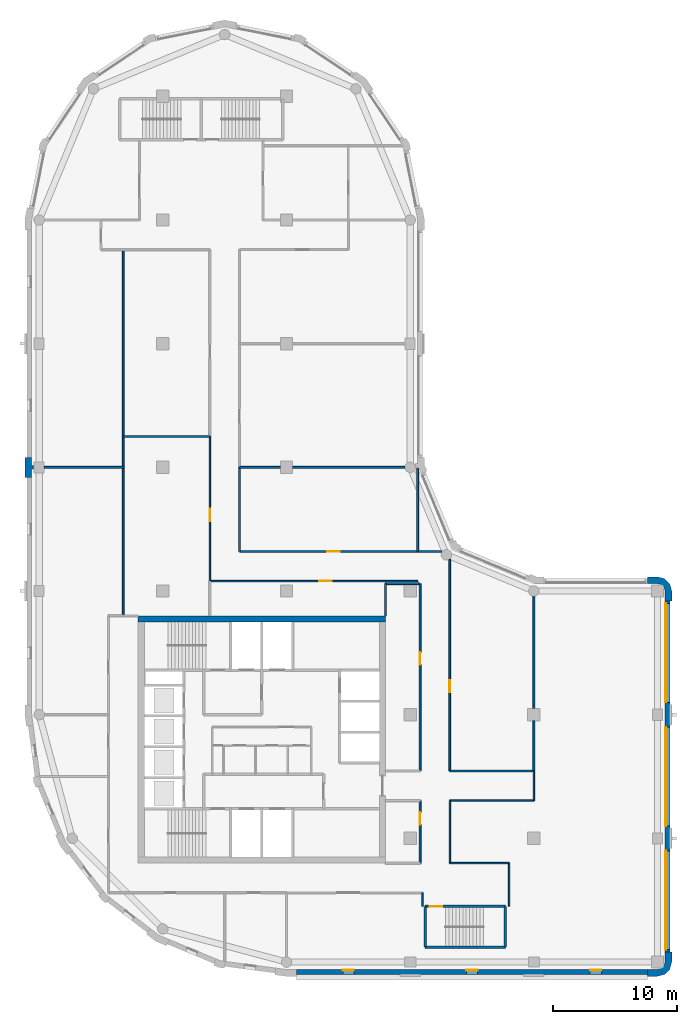
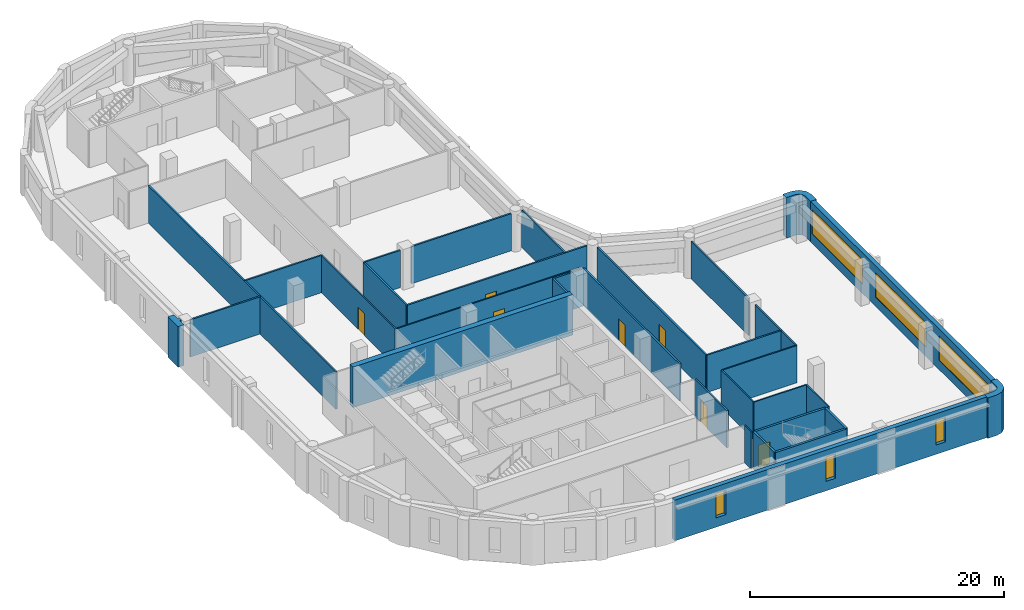
# One storey, part 4 of 9: 34 walls, 7 doors, 6 windows, 13 openings.
"""IFC4 building model written with IfcOpenShell, lengths in metres."""

from ifc_helpers import new_model, si_unit, direction, frame, frame_2d, origin, place, context, subcontext, project, spatial, polyline, rectangle, outline, extrude, material, layer, layer_set, type_object, element, fill, save


model = new_model("IFC4")

# Units and contexts
model_context = context("Model", 3, precision=1e-05, world=origin(), true_north=direction((0.0, 1.0)))
body_context = subcontext(model_context, "Body", "Model", "MODEL_VIEW")
ifc_project = project(units=[si_unit("LENGTHUNIT", "METRE"), si_unit("AREAUNIT", "SQUARE_METRE"), si_unit("VOLUMEUNIT", "CUBIC_METRE"), si_unit("PLANEANGLEUNIT", "RADIAN"), si_unit("MASSUNIT", "GRAM", prefix="KILO")], contexts=[model_context])

# Site, building, storey
site_placement = place(None, origin())
site = spatial("IfcSite", under=ifc_project, at=site_placement, CompositionType="ELEMENT")
building_placement = place(site_placement, origin())
building = spatial("IfcBuilding", under=site, at=building_placement, Name="Qaws Garden Tower", CompositionType="ELEMENT")
storey_placement = place(building_placement, frame((0.0, 0.0, 267.0)))
storey = spatial("IfcBuildingStorey", under=building, at=storey_placement, Name="L64", CompositionType="ELEMENT", Elevation=267.0)

# Walls
ifc_material_1 = material(Name="Clay facing brick masonry", Category="masonry")
ifc_layer_1 = layer(ifc_material_1, 0.550048828125)
ifc_layer_set_1 = layer_set([ifc_layer_1], Name="Clay facing brick masonry")
wall_type_1 = type_object("IfcWallType", Name="Brick corner pier 550 x 2400", PredefinedType="SOLIDWALL", material=ifc_layer_set_1)
placement = place(storey_placement, origin())
element("IfcWall", 1, at=placement, inside=storey, type_object=wall_type_1, Name="E-L64-pier-03", PredefinedType="SOLIDWALL", context=body_context, shape_type="SweptSolid", body=[
    extrude(outline(polyline([(49.199951171875, -1.0), (49.199951171875, -1.14990234375), (50.0, -1.14990234375), (50.574951171875, -0.995849609375), (50.995849609375, -0.574951171875), (51.14990234375, 0.0), (51.14990234375, 0.800048828125), (51.0, 0.800048828125), (50.60009765625, 0.800048828125), (50.60009765625, 0.0), (50.51953125, -0.300048828125), (50.300048828125, -0.51953125), (50.0, -0.60009765625), (49.199951171875, -0.60009765625), (49.199951171875, -1.0)])), origin(), (0.0, 0.0, 1.0), 3.89990234375),
])
element("IfcWall", 2, at=placement, inside=storey, type_object=wall_type_1, Name="E-L64-pier-06", PredefinedType="SOLIDWALL", context=body_context, shape_type="SweptSolid", body=[
    extrude(outline(polyline([(51.0, 29.199951171875), (51.14990234375, 29.199951171875), (51.14990234375, 30.0), (50.995849609375, 30.574951171875), (50.574951171875, 30.995849609375), (50.0, 31.14990234375), (49.199951171875, 31.14990234375), (49.199951171875, 31.0), (49.199951171875, 30.60009765625), (50.0, 30.60009765625), (50.300048828125, 30.51953125), (50.51953125, 30.300048828125), (50.60009765625, 30.0), (50.60009765625, 29.199951171875), (51.0, 29.199951171875)])), origin(), (0.0, 0.0, 1.0), 3.89990234375),
])

# Wall, openings, windows
ifc_material_2 = material(Name="Clay facing brick masonry", Category="masonry")
ifc_layer_2 = layer(ifc_material_2, 0.39990234375)
ifc_layer_set_2 = layer_set([ifc_layer_2], Name="Clay facing brick masonry")
wall_type_2 = type_object("IfcWallType", Name="Brick infill wall 400", PredefinedType="SOLIDWALL", material=ifc_layer_set_2)
wall_3_placement = place(storey_placement, frame((20.800048828125, -0.800048828125, 0.0), z_axis=(0.0, 0.0, 1.0), x_axis=(1.0, 0.0, 0.0)))
wall_3 = element("IfcWall", 3, at=wall_3_placement, inside=storey, type_object=wall_type_2, Name="E-L64-infill-00", PredefinedType="SOLIDWALL", context=body_context, shape_type="SweptSolid", body=[
    extrude(rectangle(XDim=28.39990234375, YDim=0.39990234375, at=frame_2d((14.199951171875, 0.0))), origin(), (0.0, 0.0, 1.0), 3.89990234375),
])
opening_1_placement = place(wall_3_placement, frame((3.75, 0.0, 0.89990234375)))
opening_1 = element("IfcOpeningElement", 4, at=opening_1_placement, cuts=wall_3, Name="Opening W09", PredefinedType="OPENING", context=body_context, shape_type="SweptSolid", body=[
    extrude(rectangle(XDim=0.89990234375, YDim=2.35009765625, at=frame_2d((0.449951171875, 1.175048828125))), frame((0.0, 0.2099609375, 0.0), z_axis=(0.0, -1.0, 0.0), x_axis=(1.0, 0.0, 0.0)), (0.0, 0.0, 1.0), 0.419921875),
])
opening_2_placement = place(wall_3_placement, frame((13.75, 0.0, 0.89990234375)))
opening_2 = element("IfcOpeningElement", 5, at=opening_2_placement, cuts=wall_3, Name="Opening W09", PredefinedType="OPENING", context=body_context, shape_type="SweptSolid", body=[
    extrude(rectangle(XDim=0.89990234375, YDim=2.35009765625, at=frame_2d((0.449951171875, 1.175048828125))), frame((0.0, 0.2099609375, 0.0), z_axis=(0.0, -1.0, 0.0), x_axis=(1.0, 0.0, 0.0)), (0.0, 0.0, 1.0), 0.419921875),
])
opening_3_placement = place(wall_3_placement, frame((23.75, 0.0, 0.89990234375)))
opening_3 = element("IfcOpeningElement", 6, at=opening_3_placement, cuts=wall_3, Name="Opening W09", PredefinedType="OPENING", context=body_context, shape_type="SweptSolid", body=[
    extrude(rectangle(XDim=0.89990234375, YDim=2.35009765625, at=frame_2d((0.449951171875, 1.175048828125))), frame((0.0, 0.2099609375, 0.0), z_axis=(0.0, -1.0, 0.0), x_axis=(1.0, 0.0, 0.0)), (0.0, 0.0, 1.0), 0.419921875),
])
ifc_material_3 = material(Name="Aluminium framed window, clear glazing", Category="aluminium")
window_type_1 = type_object("IfcWindowType", Name="Slit window 900 x 2350", PartitioningType="SINGLE_PANEL", PredefinedType="WINDOW", material=ifc_material_3)
window_1_placement = place(opening_1_placement, origin())
window_1 = element("IfcWindow", 7, at=window_1_placement, inside=storey, type_object=window_type_1, Name="E-L64-window-00-0", OverallHeight=2.35009765625, OverallWidth=0.89990234375, PartitioningType="SINGLE_PANEL", PredefinedType="WINDOW", context=body_context, shape_type="SweptSolid", body=[
    extrude(rectangle(XDim=0.89990234375, YDim=2.35009765625, at=frame_2d((0.449951171875, 1.175048828125))), frame((0.0, 0.159912109375, 0.0), z_axis=(0.0, -1.0, 0.0), x_axis=(1.0, 0.0, 0.0)), (0.0, 0.0, 1.0), 0.06005859375),
])
fill(opening_1, window_1)
window_2_placement = place(opening_2_placement, origin())
window_2 = element("IfcWindow", 8, at=window_2_placement, inside=storey, type_object=window_type_1, Name="E-L64-window-01-0", OverallHeight=2.35009765625, OverallWidth=0.89990234375, PartitioningType="SINGLE_PANEL", PredefinedType="WINDOW", context=body_context, shape_type="SweptSolid", body=[
    extrude(rectangle(XDim=0.89990234375, YDim=2.35009765625, at=frame_2d((0.449951171875, 1.175048828125))), frame((0.0, 0.159912109375, 0.0), z_axis=(0.0, -1.0, 0.0), x_axis=(1.0, 0.0, 0.0)), (0.0, 0.0, 1.0), 0.06005859375),
])
fill(opening_2, window_2)
window_3_placement = place(opening_3_placement, origin())
window_3 = element("IfcWindow", 9, at=window_3_placement, inside=storey, type_object=window_type_1, Name="E-L64-window-02-0", OverallHeight=2.35009765625, OverallWidth=0.89990234375, PartitioningType="SINGLE_PANEL", PredefinedType="WINDOW", context=body_context, shape_type="SweptSolid", body=[
    extrude(rectangle(XDim=0.89990234375, YDim=2.35009765625, at=frame_2d((0.449951171875, 1.175048828125))), frame((0.0, 0.159912109375, 0.0), z_axis=(0.0, -1.0, 0.0), x_axis=(1.0, 0.0, 0.0)), (0.0, 0.0, 1.0), 0.06005859375),
])
fill(opening_3, window_3)

wall_4_placement = place(storey_placement, frame((50.800048828125, 0.800048828125, 0.0), z_axis=(0.0, 0.0, 1.0), x_axis=(0.0, 1.0, 0.0)))
wall_4 = element("IfcWall", 10, at=wall_4_placement, inside=storey, type_object=wall_type_2, Name="E-L64-infill-03", PredefinedType="SOLIDWALL", context=body_context, shape_type="SweptSolid", body=[
    extrude(rectangle(XDim=28.39990234375, YDim=0.39990234375, at=frame_2d((14.199951171875, 0.0))), origin(), (0.0, 0.0, 1.0), 3.89990234375),
])
opening_4_placement = place(wall_4_placement, frame((0.199951171875, 0.0, 0.89990234375)))
opening_4 = element("IfcOpeningElement", 11, at=opening_4_placement, cuts=wall_4, Name="Opening W01", PredefinedType="OPENING", context=body_context, shape_type="SweptSolid", body=[
    extrude(rectangle(XDim=8.0, YDim=2.35009765625, at=frame_2d((4.0, 1.175048828125))), frame((0.0, 0.2099609375, 0.0), z_axis=(0.0, -1.0, 0.0), x_axis=(1.0, 0.0, 0.0)), (0.0, 0.0, 1.0), 0.419921875),
])
opening_5_placement = place(wall_4_placement, frame((10.199951171875, 0.0, 0.89990234375)))
opening_5 = element("IfcOpeningElement", 12, at=opening_5_placement, cuts=wall_4, Name="Opening W01", PredefinedType="OPENING", context=body_context, shape_type="SweptSolid", body=[
    extrude(rectangle(XDim=8.0, YDim=2.35009765625, at=frame_2d((4.0, 1.175048828125))), frame((0.0, 0.2099609375, 0.0), z_axis=(0.0, -1.0, 0.0), x_axis=(1.0, 0.0, 0.0)), (0.0, 0.0, 1.0), 0.419921875),
])
opening_6_placement = place(wall_4_placement, frame((20.199951171875, 0.0, 0.89990234375)))
opening_6 = element("IfcOpeningElement", 13, at=opening_6_placement, cuts=wall_4, Name="Opening W01", PredefinedType="OPENING", context=body_context, shape_type="SweptSolid", body=[
    extrude(rectangle(XDim=8.0, YDim=2.35009765625, at=frame_2d((4.0, 1.175048828125))), frame((0.0, 0.2099609375, 0.0), z_axis=(0.0, -1.0, 0.0), x_axis=(1.0, 0.0, 0.0)), (0.0, 0.0, 1.0), 0.419921875),
])
ifc_material_4 = material(Name="Aluminium framed window, clear glazing", Category="aluminium")
window_type_2 = type_object("IfcWindowType", Name="Ribbon window 8000 x 2350", PartitioningType="DOUBLE_PANEL_VERTICAL", PredefinedType="WINDOW", material=ifc_material_4)
window_4_placement = place(opening_4_placement, origin())
window_4 = element("IfcWindow", 14, at=window_4_placement, inside=storey, type_object=window_type_2, Name="E-L64-window-03-0", OverallHeight=2.35009765625, OverallWidth=8.0, PartitioningType="SINGLE_PANEL", PredefinedType="WINDOW", context=body_context, shape_type="SweptSolid", body=[
    extrude(rectangle(XDim=8.0, YDim=2.35009765625, at=frame_2d((4.0, 1.175048828125))), frame((0.0, 0.159912109375, 0.0), z_axis=(0.0, -1.0, 0.0), x_axis=(1.0, 0.0, 0.0)), (0.0, 0.0, 1.0), 0.06005859375),
])
fill(opening_4, window_4)
window_5_placement = place(opening_5_placement, origin())
window_5 = element("IfcWindow", 15, at=window_5_placement, inside=storey, type_object=window_type_2, Name="E-L64-window-04-0", OverallHeight=2.35009765625, OverallWidth=8.0, PartitioningType="SINGLE_PANEL", PredefinedType="WINDOW", context=body_context, shape_type="SweptSolid", body=[
    extrude(rectangle(XDim=8.0, YDim=2.35009765625, at=frame_2d((4.0, 1.175048828125))), frame((0.0, 0.159912109375, 0.0), z_axis=(0.0, -1.0, 0.0), x_axis=(1.0, 0.0, 0.0)), (0.0, 0.0, 1.0), 0.06005859375),
])
fill(opening_5, window_5)
window_6_placement = place(opening_6_placement, origin())
window_6 = element("IfcWindow", 16, at=window_6_placement, inside=storey, type_object=window_type_2, Name="E-L64-window-05-0", OverallHeight=2.35009765625, OverallWidth=8.0, PartitioningType="SINGLE_PANEL", PredefinedType="WINDOW", context=body_context, shape_type="SweptSolid", body=[
    extrude(rectangle(XDim=8.0, YDim=2.35009765625, at=frame_2d((4.0, 1.175048828125))), frame((0.0, 0.159912109375, 0.0), z_axis=(0.0, -1.0, 0.0), x_axis=(1.0, 0.0, 0.0)), (0.0, 0.0, 1.0), 0.06005859375),
])
fill(opening_6, window_6)

# Walls
ifc_material_5 = material(Name="Clay facing brick masonry", Category="masonry")
ifc_layer_3 = layer(ifc_material_5, 0.550048828125)
ifc_layer_set_3 = layer_set([ifc_layer_3], Name="Clay facing brick masonry")
wall_type_3 = type_object("IfcWallType", Name="Brick pier 550 x 1600", PredefinedType="SOLIDWALL", material=ifc_layer_set_3)
element("IfcWall", 17, at=placement, inside=storey, type_object=wall_type_3, Name="E-L64-pier-21", PredefinedType="SOLIDWALL", context=body_context, shape_type="SweptSolid", body=[
    extrude(outline(polyline([(-0.60009765625, 39.199951171875), (-0.60009765625, 39.85009765625), (-0.449951171875, 39.85009765625), (-0.449951171875, 40.14990234375), (-0.60009765625, 40.14990234375), (-0.60009765625, 40.800048828125), (-1.0, 40.800048828125), (-1.14990234375, 40.800048828125), (-1.14990234375, 40.0), (-1.14990234375, 39.199951171875), (-1.0, 39.199951171875), (-0.60009765625, 39.199951171875)])), origin(), (0.0, 0.0, 1.0), 3.89990234375),
])
ifc_material_6 = material(Name="Concrete C60", Category="concrete")
ifc_layer_4 = layer(ifc_material_6, 0.199951171875)
ifc_layer_set_4 = layer_set([ifc_layer_4], Name="Concrete C60")
wall_type_4 = type_object("IfcWallType", Name="Core shaft wall 200 C60", PredefinedType="SHEAR", material=ifc_layer_set_4)
wall_6_placement = place(storey_placement, frame((31.199951171875, 1.199951171875, 0.0), z_axis=(0.0, 0.0, 1.0), x_axis=(1.0, 0.0, 0.0)))
element("IfcWall", 18, at=wall_6_placement, inside=storey, type_object=wall_type_4, Name="Shaft wall", PredefinedType="SHEAR", context=body_context, shape_type="SweptSolid", body=[
    extrude(rectangle(XDim=6.5, YDim=0.199951171875, at=frame_2d((3.25, 0.0))), origin(), (0.0, 0.0, 1.0), 3.580078125),
])

# Wall, opening, door
wall_7_placement = place(storey_placement, frame((31.199951171875, 4.5, 0.0), z_axis=(0.0, 0.0, 1.0), x_axis=(1.0, 0.0, 0.0)))
wall_7 = element("IfcWall", 19, at=wall_7_placement, inside=storey, type_object=wall_type_4, Name="Shaft wall", PredefinedType="SHEAR", context=body_context, shape_type="SweptSolid", body=[
    extrude(rectangle(XDim=6.5, YDim=0.199951171875, at=frame_2d((3.25, 0.0))), origin(), (0.0, 0.0, 1.0), 3.580078125),
])
opening_7_placement = place(wall_7_placement, frame((0.375, 0.0, 0.0)))
opening_7 = element("IfcOpeningElement", 20, at=opening_7_placement, cuts=wall_7, Name="Opening SD12", PredefinedType="OPENING", context=body_context, shape_type="SweptSolid", body=[
    extrude(rectangle(XDim=1.0, YDim=2.10009765625, at=frame_2d((0.5, 1.050048828125))), frame((0.0, 0.10986328125, 0.0), z_axis=(0.0, -1.0, 0.0), x_axis=(1.0, 0.0, 0.0)), (0.0, 0.0, 1.0), 0.219970703125),
])
ifc_material_7 = material(Name="Steel S235", Category="steel")
door_type_1 = type_object("IfcDoorType", Name="Stair door 1000x2100", OperationType="SINGLE_SWING_RIGHT", PredefinedType="DOOR", material=ifc_material_7)
door_1_placement = place(opening_7_placement, frame((1.0, 0.0, 0.0), z_axis=(0.0, 0.0, 1.0), x_axis=(-1.0, 0.0, 0.0)))
door_1 = element("IfcDoor", 21, at=door_1_placement, inside=storey, type_object=door_type_1, Name="Stair 5 door", OperationType="SINGLE_SWING_RIGHT", OverallHeight=2.10009765625, OverallWidth=1.0, PredefinedType="DOOR", context=body_context, shape_type="SweptSolid", body=[
    extrude(rectangle(XDim=1.0, YDim=2.10009765625, at=frame_2d((0.5, 1.050048828125))), frame((0.0, 0.02490234375, 0.0), z_axis=(0.0, -1.0, 0.0), x_axis=(1.0, 0.0, 0.0)), (0.0, 0.0, 1.0), 0.050048828125),
])
fill(opening_7, door_1)

# Walls
for number, where, z_axis, x_axis, name in (
    (22, (31.199951171875, 1.199951171875, 0.0), (0.0, 0.0, 1.0), (0.0, 1.0, 0.0), "Shaft wall"),
    (23, (37.699951171875, 1.199951171875, 0.0), (0.0, 0.0, 1.0), (0.0, 1.0, 0.0), "Shaft wall"),
):
    element("IfcWall", number, at=place(storey_placement, frame(where, z_axis=z_axis, x_axis=x_axis)), inside=storey, type_object=wall_type_4, Name=name, PredefinedType="SHEAR", context=body_context, shape_type="SweptSolid", body=[
        extrude(rectangle(XDim=3.300048828125, YDim=0.199951171875, at=frame_2d((1.64990234375, 0.0))), origin(), (0.0, 0.0, 1.0), 3.580078125),
    ])
ifc_material_8 = material(Name="Concrete C60", Category="concrete")
ifc_layer_5 = layer(ifc_material_8, 0.5)
ifc_layer_set_5 = layer_set([ifc_layer_5], Name="Concrete C60")
wall_type_5 = type_object("IfcWallType", Name="Core wall 500 C60", PredefinedType="SHEAR", material=ifc_layer_set_5)
wall_8_placement = place(storey_placement, frame((28.0, 27.75, 0.0), z_axis=(0.0, 0.0, 1.0), x_axis=(-1.0, 0.0, 0.0)))
element("IfcWall", 24, at=wall_8_placement, inside=storey, type_object=wall_type_5, Name="Core wall L64 north", PredefinedType="SHEAR", context=body_context, shape_type="SweptSolid", body=[
    extrude(rectangle(XDim=20.0, YDim=0.5, at=frame_2d((10.0, 0.0))), origin(), (0.0, 0.0, 1.0), 3.89990234375),
])

# Wall, opening, door
ifc_material_9 = material(Name="Glass and aluminium framing", Category="aluminium")
ifc_layer_6 = layer(ifc_material_9, 0.1201171875)
ifc_layer_set_6 = layer_set([ifc_layer_6], Name="Glass and aluminium framing")
wall_type_6 = type_object("IfcWallType", Name="GLAZED PARTITION 120 EI 30", PredefinedType="PARTITIONING", material=ifc_layer_set_6)
wall_9_placement = place(storey_placement, frame((13.800048828125, 30.800048828125, 0.0), z_axis=(0.0, 0.0, 1.0), x_axis=(0.0, 1.0, 0.0)))
wall_9 = element("IfcWall", 25, at=wall_9_placement, inside=storey, type_object=wall_type_6, Name="O-L64-wall-041", PredefinedType="PARTITIONING", context=body_context, shape_type="SweptSolid", body=[
    extrude(rectangle(XDim=11.699951171875, YDim=0.1201171875, at=frame_2d((5.85009765625, 0.0))), origin(), (0.0, 0.0, 1.0), 3.580078125),
])
opening_8_placement = place(wall_9_placement, frame((4.85009765625, 0.0, 0.0)))
opening_8 = element("IfcOpeningElement", 26, at=opening_8_placement, cuts=wall_9, Name="Opening C217", PredefinedType="OPENING", context=body_context, shape_type="SweptSolid", body=[
    extrude(rectangle(XDim=1.0, YDim=2.10009765625, at=frame_2d((0.5, 1.050048828125))), frame((0.0, 0.070068359375, 0.0), z_axis=(0.0, -1.0, 0.0), x_axis=(1.0, 0.0, 0.0)), (0.0, 0.0, 1.0), 0.14013671875),
])
ifc_material_10 = material(Name="Timber door leaf", Category="wood")
door_type_2 = type_object("IfcDoorType", Name="TENANCY ENTRANCE DOOR 1000 X 2100", OperationType="SINGLE_SWING_LEFT", PredefinedType="DOOR", material=ifc_material_10)
door_2_placement = place(opening_8_placement, origin())
door_2 = element("IfcDoor", 27, at=door_2_placement, inside=storey, type_object=door_type_2, Name="O-L64-door-017", OperationType="SINGLE_SWING_LEFT", OverallHeight=2.10009765625, OverallWidth=1.0, PredefinedType="DOOR", context=body_context, shape_type="SweptSolid", body=[
    extrude(rectangle(XDim=1.0, YDim=2.10009765625, at=frame_2d((0.5, 1.050048828125))), frame((0.0, 0.02490234375, 0.0), z_axis=(0.0, -1.0, 0.0), x_axis=(1.0, 0.0, 0.0)), (0.0, 0.0, 1.0), 0.050048828125),
])
fill(opening_8, door_2)

# Walls
wall_10_placement = place(storey_placement, frame((31.0, 4.5, 0.0), z_axis=(0.0, 0.0, 1.0), x_axis=(0.0, 1.0, 0.0)))
element("IfcWall", 28, at=wall_10_placement, inside=storey, type_object=wall_type_6, Name="O-L64-wall-045", PredefinedType="PARTITIONING", context=body_context, shape_type="SweptSolid", body=[
    extrude(rectangle(XDim=1.10009765625, YDim=0.1201171875, at=frame_2d((0.550048828125, 0.0))), origin(), (0.0, 0.0, 1.0), 3.580078125),
])
wall_11_placement = place(storey_placement, frame((33.199951171875, 8.0, 0.0), z_axis=(0.0, 0.0, 1.0), x_axis=(0.0, 1.0, 0.0)))
element("IfcWall", 29, at=wall_11_placement, inside=storey, type_object=wall_type_6, Name="O-L64-wall-046", PredefinedType="PARTITIONING", context=body_context, shape_type="SweptSolid", body=[
    extrude(rectangle(XDim=5.050048828125, YDim=0.1201171875, at=frame_2d((2.52490234375, 0.0))), origin(), (0.0, 0.0, 1.0), 3.580078125),
])
wall_12_placement = place(storey_placement, frame((38.0, 4.5, 0.0), z_axis=(0.0, 0.0, 1.0), x_axis=(0.0, 1.0, 0.0)))
element("IfcWall", 30, at=wall_12_placement, inside=storey, type_object=wall_type_6, Name="O-L64-wall-047", PredefinedType="PARTITIONING", context=body_context, shape_type="SweptSolid", body=[
    extrude(rectangle(XDim=3.5, YDim=0.1201171875, at=frame_2d((1.75, 0.0))), origin(), (0.0, 0.0, 1.0), 3.580078125),
])
wall_13_placement = place(storey_placement, frame((40.0, 13.050048828125, 0.0), z_axis=(0.0, 0.0, 1.0), x_axis=(0.0, 1.0, 0.0)))
element("IfcWall", 31, at=wall_13_placement, inside=storey, type_object=wall_type_6, Name="O-L64-wall-048", PredefinedType="PARTITIONING", context=body_context, shape_type="SweptSolid", body=[
    extrude(rectangle(XDim=2.39990234375, YDim=0.1201171875, at=frame_2d((1.199951171875, 0.0))), origin(), (0.0, 0.0, 1.0), 3.580078125),
])
wall_14_placement = place(storey_placement, frame((33.199951171875, 8.0, 0.0), z_axis=(0.0, 0.0, 1.0), x_axis=(1.0, 0.0, 0.0)))
element("IfcWall", 32, at=wall_14_placement, inside=storey, type_object=wall_type_6, Name="O-L64-wall-050", PredefinedType="PARTITIONING", context=body_context, shape_type="SweptSolid", body=[
    extrude(rectangle(XDim=4.800048828125, YDim=0.1201171875, at=frame_2d((2.39990234375, 0.0))), origin(), (0.0, 0.0, 1.0), 3.580078125),
])
wall_15_placement = place(storey_placement, frame((33.199951171875, 13.050048828125, 0.0), z_axis=(0.0, 0.0, 1.0), x_axis=(1.0, 0.0, 0.0)))
element("IfcWall", 33, at=wall_15_placement, inside=storey, type_object=wall_type_6, Name="O-L64-wall-051", PredefinedType="PARTITIONING", context=body_context, shape_type="SweptSolid", body=[
    extrude(rectangle(XDim=6.800048828125, YDim=0.1201171875, at=frame_2d((3.39990234375, 0.0))), origin(), (0.0, 0.0, 1.0), 3.580078125),
])

# Wall, opening, door
wall_16_placement = place(storey_placement, frame((13.802001953125, 30.800048828125, 0.0), z_axis=(0.0, 0.0, 1.0), x_axis=(1.0, 0.0, 0.0)))
wall_16 = element("IfcWall", 34, at=wall_16_placement, inside=storey, type_object=wall_type_6, Name="O-L64-wall-053", PredefinedType="PARTITIONING", context=body_context, shape_type="SweptSolid", body=[
    extrude(rectangle(XDim=16.798095703125, YDim=0.1201171875, at=frame_2d((8.39892578125, 0.0))), origin(), (0.0, 0.0, 1.0), 3.580078125),
])
opening_9_placement = place(wall_16_placement, frame((8.85009765625, 0.0, 0.0)))
opening_9 = element("IfcOpeningElement", 35, at=opening_9_placement, cuts=wall_16, Name="Opening C210", PredefinedType="OPENING", context=body_context, shape_type="SweptSolid", body=[
    extrude(rectangle(XDim=1.0, YDim=2.10009765625, at=frame_2d((0.5, 1.050048828125))), frame((0.0, 0.070068359375, 0.0), z_axis=(0.0, -1.0, 0.0), x_axis=(1.0, 0.0, 0.0)), (0.0, 0.0, 1.0), 0.14013671875),
])
door_3_placement = place(opening_9_placement, frame((1.0, 0.0, 0.0), z_axis=(0.0, 0.0, 1.0), x_axis=(-1.0, 0.0, 0.0)))
door_3 = element("IfcDoor", 36, at=door_3_placement, inside=storey, type_object=door_type_2, Name="O-L64-door-010", OperationType="SINGLE_SWING_LEFT", OverallHeight=2.10009765625, OverallWidth=1.0, PredefinedType="DOOR", context=body_context, shape_type="SweptSolid", body=[
    extrude(rectangle(XDim=1.0, YDim=2.10009765625, at=frame_2d((0.5, 1.050048828125))), frame((0.0, 0.02490234375, 0.0), z_axis=(0.0, -1.0, 0.0), x_axis=(1.0, 0.0, 0.0)), (0.0, 0.0, 1.0), 0.050048828125),
])
fill(opening_9, door_3)

# Walls
ifc_material_11 = material(Name="Gypsum board partition")
ifc_layer_7 = layer(ifc_material_11, 0.14990234375)
ifc_layer_set_7 = layer_set([ifc_layer_7], Name="Gypsum board partition")
wall_type_7 = type_object("IfcWallType", Name="PARTITION 150 EI 60", PredefinedType="PARTITIONING", material=ifc_layer_set_7)
wall_17_placement = place(storey_placement, frame((6.800048828125, 28.0, 0.0), z_axis=(0.0, 0.0, 1.0), x_axis=(0.0, 1.0, 0.0)))
element("IfcWall", 37, at=wall_17_placement, inside=storey, type_object=wall_type_7, Name="O-L64-wall-004", PredefinedType="PARTITIONING", context=body_context, shape_type="SweptSolid", body=[
    extrude(rectangle(XDim=29.60009765625, YDim=0.14990234375, at=frame_2d((14.800048828125, 0.0))), origin(), (0.0, 0.0, 1.0), 3.580078125),
])
wall_18_placement = place(storey_placement, frame((16.199951171875, 33.199951171875, 0.0), z_axis=(0.0, 0.0, 1.0), x_axis=(0.0, 1.0, 0.0)))
element("IfcWall", 38, at=wall_18_placement, inside=storey, type_object=wall_type_7, Name="O-L64-wall-008", PredefinedType="PARTITIONING", context=body_context, shape_type="SweptSolid", body=[
    extrude(rectangle(XDim=6.800048828125, YDim=0.14990234375, at=frame_2d((3.39990234375, 0.0))), origin(), (0.0, 0.0, 1.0), 3.580078125),
])
wall_19_placement = place(storey_placement, frame((28.0, 28.0, 0.0), z_axis=(0.0, 0.0, 1.0), x_axis=(0.0, 1.0, 0.0)))
element("IfcWall", 39, at=wall_19_placement, inside=storey, type_object=wall_type_7, Name="O-L64-wall-011", PredefinedType="PARTITIONING", context=body_context, shape_type="SweptSolid", body=[
    extrude(rectangle(XDim=2.597900390625, YDim=0.14990234375, at=frame_2d((1.298828125, 0.0))), origin(), (0.0, 0.0, 1.0), 3.580078125),
])
wall_20_placement = place(storey_placement, frame((30.60009765625, 33.199951171875, 0.0), z_axis=(0.0, 0.0, 1.0), x_axis=(0.0, 1.0, 0.0)))
element("IfcWall", 40, at=wall_20_placement, inside=storey, type_object=wall_type_7, Name="O-L64-wall-012", PredefinedType="PARTITIONING", context=body_context, shape_type="SweptSolid", body=[
    extrude(rectangle(XDim=6.73828125, YDim=0.14990234375, at=frame_2d((3.369140625, 0.0))), origin(), (0.0, 0.0, 1.0), 3.580078125),
])

# Wall, opening, door
wall_21_placement = place(storey_placement, frame((30.800048828125, 8.0, 0.0), z_axis=(0.0, 0.0, 1.0), x_axis=(0.0, 1.0, 0.0)))
wall_21 = element("IfcWall", 41, at=wall_21_placement, inside=storey, type_object=wall_type_7, Name="O-L64-wall-013", PredefinedType="PARTITIONING", context=body_context, shape_type="SweptSolid", body=[
    extrude(rectangle(XDim=5.050048828125, YDim=0.14990234375, at=frame_2d((2.52490234375, 0.0))), origin(), (0.0, 0.0, 1.0), 3.580078125),
])
opening_10_placement = place(wall_21_placement, frame((3.10009765625, 0.0, 0.0)))
opening_10 = element("IfcOpeningElement", 42, at=opening_10_placement, cuts=wall_21, Name="Opening C216", PredefinedType="OPENING", context=body_context, shape_type="SweptSolid", body=[
    extrude(rectangle(XDim=1.0, YDim=2.10009765625, at=frame_2d((0.5, 1.050048828125))), frame((0.0, 0.0849609375, 0.0), z_axis=(0.0, -1.0, 0.0), x_axis=(1.0, 0.0, 0.0)), (0.0, 0.0, 1.0), 0.169921875),
])
door_4_placement = place(opening_10_placement, origin())
door_4 = element("IfcDoor", 43, at=door_4_placement, inside=storey, type_object=door_type_2, Name="O-L64-door-016", OperationType="SINGLE_SWING_RIGHT", OverallHeight=2.10009765625, OverallWidth=1.0, PredefinedType="DOOR", context=body_context, shape_type="SweptSolid", body=[
    extrude(rectangle(XDim=1.0, YDim=2.10009765625, at=frame_2d((0.5, 1.050048828125))), frame((0.0, 0.02490234375, 0.0), z_axis=(0.0, -1.0, 0.0), x_axis=(1.0, 0.0, 0.0)), (0.0, 0.0, 1.0), 0.050048828125),
])
fill(opening_10, door_4)

wall_22_placement = place(storey_placement, frame((30.800048828125, 15.449951171875, 0.0), z_axis=(0.0, 0.0, 1.0), x_axis=(0.0, 1.0, 0.0)))
wall_22 = element("IfcWall", 44, at=wall_22_placement, inside=storey, type_object=wall_type_7, Name="O-L64-wall-014", PredefinedType="PARTITIONING", context=body_context, shape_type="SweptSolid", body=[
    extrude(rectangle(XDim=15.150146484375, YDim=0.14990234375, at=frame_2d((7.5751953125, 0.0))), origin(), (0.0, 0.0, 1.0), 3.580078125),
])
opening_11_placement = place(wall_22_placement, frame((8.60009765625, 0.0, 0.0)))
opening_11 = element("IfcOpeningElement", 45, at=opening_11_placement, cuts=wall_22, Name="Opening C213", PredefinedType="OPENING", context=body_context, shape_type="SweptSolid", body=[
    extrude(rectangle(XDim=1.0, YDim=2.10009765625, at=frame_2d((0.5, 1.050048828125))), frame((0.0, 0.0849609375, 0.0), z_axis=(0.0, -1.0, 0.0), x_axis=(1.0, 0.0, 0.0)), (0.0, 0.0, 1.0), 0.169921875),
])
door_5_placement = place(opening_11_placement, origin())
door_5 = element("IfcDoor", 46, at=door_5_placement, inside=storey, type_object=door_type_2, Name="O-L64-door-013", OperationType="SINGLE_SWING_RIGHT", OverallHeight=2.10009765625, OverallWidth=1.0, PredefinedType="DOOR", context=body_context, shape_type="SweptSolid", body=[
    extrude(rectangle(XDim=1.0, YDim=2.10009765625, at=frame_2d((0.5, 1.050048828125))), frame((0.0, 0.02490234375, 0.0), z_axis=(0.0, -1.0, 0.0), x_axis=(1.0, 0.0, 0.0)), (0.0, 0.0, 1.0), 0.050048828125),
])
fill(opening_11, door_5)

wall_23_placement = place(storey_placement, frame((33.199951171875, 15.449951171875, 0.0), z_axis=(0.0, 0.0, 1.0), x_axis=(0.0, 1.0, 0.0)))
wall_23 = element("IfcWall", 47, at=wall_23_placement, inside=storey, type_object=wall_type_7, Name="O-L64-wall-015", PredefinedType="PARTITIONING", context=body_context, shape_type="SweptSolid", body=[
    extrude(rectangle(XDim=17.10205078125, YDim=0.14990234375, at=frame_2d((8.551025390625, 0.0))), origin(), (0.0, 0.0, 1.0), 3.580078125),
])
opening_12_placement = place(wall_23_placement, frame((6.35009765625, 0.0, 0.0)))
opening_12 = element("IfcOpeningElement", 48, at=opening_12_placement, cuts=wall_23, Name="Opening C214", PredefinedType="OPENING", context=body_context, shape_type="SweptSolid", body=[
    extrude(rectangle(XDim=1.0, YDim=2.10009765625, at=frame_2d((0.5, 1.050048828125))), frame((0.0, 0.0849609375, 0.0), z_axis=(0.0, -1.0, 0.0), x_axis=(1.0, 0.0, 0.0)), (0.0, 0.0, 1.0), 0.169921875),
])
door_6_placement = place(opening_12_placement, frame((1.0, 0.0, 0.0), z_axis=(0.0, 0.0, 1.0), x_axis=(-1.0, 0.0, 0.0)))
door_6 = element("IfcDoor", 49, at=door_6_placement, inside=storey, type_object=door_type_2, Name="O-L64-door-014", OperationType="SINGLE_SWING_LEFT", OverallHeight=2.10009765625, OverallWidth=1.0, PredefinedType="DOOR", context=body_context, shape_type="SweptSolid", body=[
    extrude(rectangle(XDim=1.0, YDim=2.10009765625, at=frame_2d((0.5, 1.050048828125))), frame((0.0, 0.02490234375, 0.0), z_axis=(0.0, -1.0, 0.0), x_axis=(1.0, 0.0, 0.0)), (0.0, 0.0, 1.0), 0.050048828125),
])
fill(opening_12, door_6)

# Walls
wall_24_placement = place(storey_placement, frame((40.0, 15.449951171875, 0.0), z_axis=(0.0, 0.0, 1.0), x_axis=(0.0, 1.0, 0.0)))
element("IfcWall", 50, at=wall_24_placement, inside=storey, type_object=wall_type_7, Name="O-L64-wall-016", PredefinedType="PARTITIONING", context=body_context, shape_type="SweptSolid", body=[
    extrude(rectangle(XDim=4.050048828125, YDim=0.14990234375, at=frame_2d((2.02490234375, 0.0))), origin(), (0.0, 0.0, 1.0), 3.580078125),
])
wall_25_placement = place(storey_placement, frame((40.0, 20.5, 0.0), z_axis=(0.0, 0.0, 1.0), x_axis=(0.0, 1.0, 0.0)))
element("IfcWall", 51, at=wall_25_placement, inside=storey, type_object=wall_type_7, Name="O-L64-wall-017", PredefinedType="PARTITIONING", context=body_context, shape_type="SweptSolid", body=[
    extrude(rectangle(XDim=9.074951171875, YDim=0.14990234375, at=frame_2d((4.53759765625, 0.0))), origin(), (0.0, 0.0, 1.0), 3.580078125),
])
wall_26_placement = place(storey_placement, frame((33.199951171875, 15.449951171875, 0.0), z_axis=(0.0, 0.0, 1.0), x_axis=(1.0, 0.0, 0.0)))
element("IfcWall", 52, at=wall_26_placement, inside=storey, type_object=wall_type_7, Name="O-L64-wall-023", PredefinedType="PARTITIONING", context=body_context, shape_type="SweptSolid", body=[
    extrude(rectangle(XDim=6.800048828125, YDim=0.14990234375, at=frame_2d((3.39990234375, 0.0))), origin(), (0.0, 0.0, 1.0), 3.580078125),
])
wall_27_placement = place(storey_placement, frame((28.001953125, 30.60009765625, 0.0), z_axis=(0.0, 0.0, 1.0), x_axis=(1.0, 0.0, 0.0)))
element("IfcWall", 53, at=wall_27_placement, inside=storey, type_object=wall_type_7, Name="O-L64-wall-026", PredefinedType="PARTITIONING", context=body_context, shape_type="SweptSolid", body=[
    extrude(rectangle(XDim=2.72314453125, YDim=0.14990234375, at=frame_2d((1.361572265625, 0.0))), origin(), (0.0, 0.0, 1.0), 3.580078125),
])

# Wall, opening, door
wall_28_placement = place(storey_placement, frame((16.199951171875, 33.199951171875, 0.0), z_axis=(0.0, 0.0, 1.0), x_axis=(1.0, 0.0, 0.0)))
wall_28 = element("IfcWall", 54, at=wall_28_placement, inside=storey, type_object=wall_type_7, Name="O-L64-wall-027", PredefinedType="PARTITIONING", context=body_context, shape_type="SweptSolid", body=[
    extrude(rectangle(XDim=16.35205078125, YDim=0.14990234375, at=frame_2d((8.176025390625, 0.0))), origin(), (0.0, 0.0, 1.0), 3.580078125),
])
opening_13_placement = place(wall_28_placement, frame((7.10009765625, 0.0, 0.0)))
opening_13 = element("IfcOpeningElement", 55, at=opening_13_placement, cuts=wall_28, Name="Opening C205", PredefinedType="OPENING", context=body_context, shape_type="SweptSolid", body=[
    extrude(rectangle(XDim=1.0, YDim=2.10009765625, at=frame_2d((0.5, 1.050048828125))), frame((0.0, 0.0849609375, 0.0), z_axis=(0.0, -1.0, 0.0), x_axis=(1.0, 0.0, 0.0)), (0.0, 0.0, 1.0), 0.169921875),
])
door_7_placement = place(opening_13_placement, origin())
door_7 = element("IfcDoor", 56, at=door_7_placement, inside=storey, type_object=door_type_2, Name="O-L64-door-005", OperationType="SINGLE_SWING_RIGHT", OverallHeight=2.10009765625, OverallWidth=1.0, PredefinedType="DOOR", context=body_context, shape_type="SweptSolid", body=[
    extrude(rectangle(XDim=1.0, YDim=2.10009765625, at=frame_2d((0.5, 1.050048828125))), frame((0.0, 0.02490234375, 0.0), z_axis=(0.0, -1.0, 0.0), x_axis=(1.0, 0.0, 0.0)), (0.0, 0.0, 1.0), 0.050048828125),
])
fill(opening_13, door_7)

# Walls
wall_29_placement = place(storey_placement, frame((0.39990234375, 40.0, 0.0), z_axis=(0.0, 0.0, 1.0), x_axis=(1.0, 0.0, 0.0)))
element("IfcWall", 57, at=wall_29_placement, inside=storey, type_object=wall_type_7, Name="O-L64-wall-028", PredefinedType="PARTITIONING", context=body_context, shape_type="SweptSolid", body=[
    extrude(rectangle(XDim=6.400146484375, YDim=0.14990234375, at=frame_2d((3.2001953125, 0.0))), origin(), (0.0, 0.0, 1.0), 3.580078125),
])
wall_30_placement = place(storey_placement, frame((16.199951171875, 40.0, 0.0), z_axis=(0.0, 0.0, 1.0), x_axis=(1.0, 0.0, 0.0)))
element("IfcWall", 58, at=wall_30_placement, inside=storey, type_object=wall_type_7, Name="O-L64-wall-029", PredefinedType="PARTITIONING", context=body_context, shape_type="SweptSolid", body=[
    extrude(rectangle(XDim=3.300048828125, YDim=0.14990234375, at=frame_2d((1.64990234375, 0.0))), origin(), (0.0, 0.0, 1.0), 3.580078125),
])
wall_31_placement = place(storey_placement, frame((20.5, 40.0, 0.0), z_axis=(0.0, 0.0, 1.0), x_axis=(1.0, 0.0, 0.0)))
element("IfcWall", 59, at=wall_31_placement, inside=storey, type_object=wall_type_7, Name="O-L64-wall-030", PredefinedType="PARTITIONING", context=body_context, shape_type="SweptSolid", body=[
    extrude(rectangle(XDim=9.074951171875, YDim=0.14990234375, at=frame_2d((4.53759765625, 0.0))), origin(), (0.0, 0.0, 1.0), 3.580078125),
])
wall_32_placement = place(storey_placement, frame((6.800048828125, 42.5, 0.0), z_axis=(0.0, 0.0, 1.0), x_axis=(1.0, 0.0, 0.0)))
element("IfcWall", 60, at=wall_32_placement, inside=storey, type_object=wall_type_7, Name="O-L64-wall-031", PredefinedType="PARTITIONING", context=body_context, shape_type="SweptSolid", body=[
    extrude(rectangle(XDim=7.0, YDim=0.14990234375, at=frame_2d((3.5, 0.0))), origin(), (0.0, 0.0, 1.0), 3.580078125),
])

save(model, "model.ifc")
